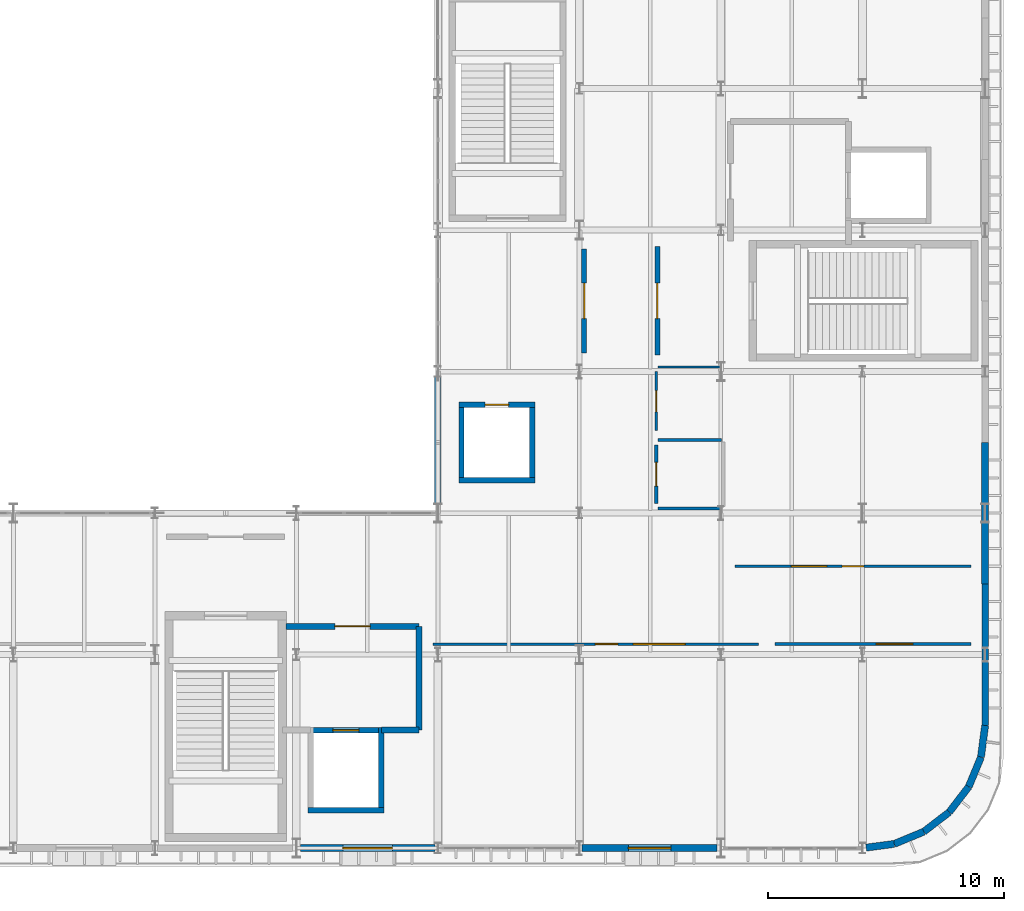
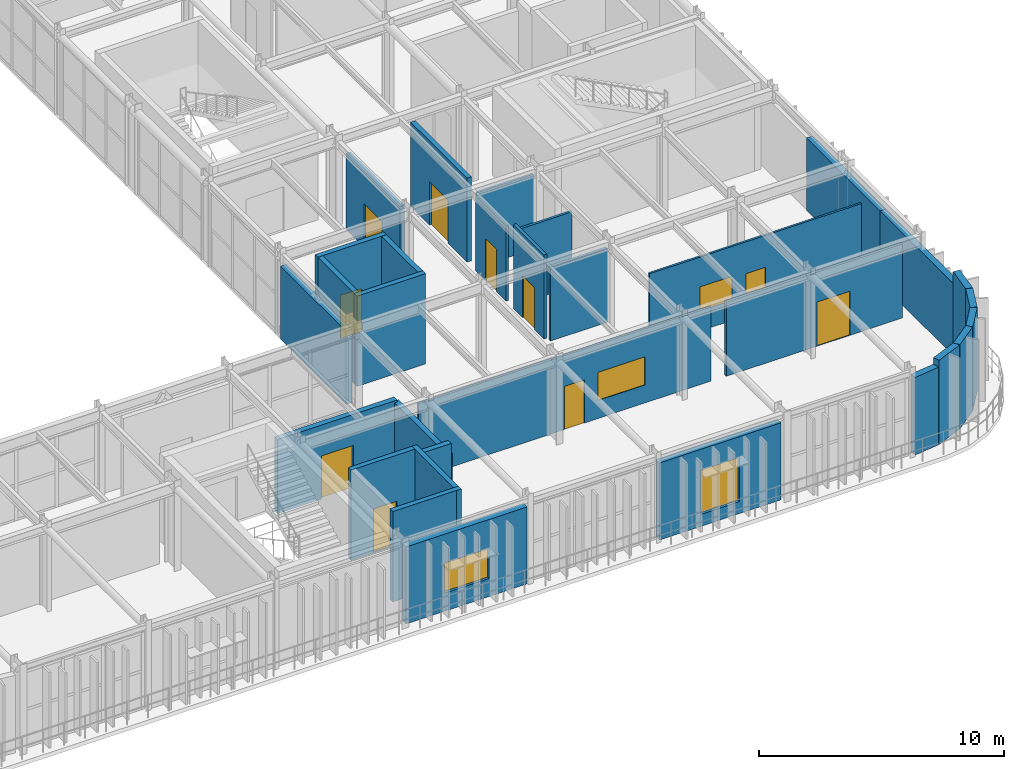
# One storey, part 62 of 84: 31 walls, 10 doors, 4 windows, 14 openings.
"""IFC4 building model written with IfcOpenShell, lengths in metres."""

import ifcopenshell
import ifcopenshell.guid

model = None  # the IFC model being written
_history = None  # IfcOwnerHistory: only IFC2X3 demands one
_inside = {}  # id of a spatial element -> (the spatial element, [elements in it])
_under = {}  # id of a project, library or spatial element -> (it, [spatial elements below it])
_declared = {}  # id of a project -> (the project, [libraries it declares])
_typed = {}  # id of a type object -> (the type object, [elements of that type])
_made_of = {}  # id of a material, layer set ... -> (it, [elements and type objects made of it])


def new_model(schema):
    """Start an empty IFC model of exactly this schema.

    Asked for "IFC4X3", IfcOpenShell would pick the latest addendum, in which some entities
    have other attributes; the version numbers below select the first issue.
    IFC2X3 requires an IfcOwnerHistory on every rooted entity: one is made here for all.
    """
    global model, _history
    if schema == "IFC4X3":
        model = ifcopenshell.file(schema_version=(4, 3, 0, 0))
    else:
        model = ifcopenshell.file(schema=schema)
    _inside.clear()
    _under.clear()
    _declared.clear()
    _typed.clear()
    _made_of.clear()
    _history = None
    if model.schema == "IFC2X3":
        org = make("IfcOrganization", Name="unknown")
        user = make(
            "IfcPersonAndOrganization",
            ThePerson=make("IfcPerson", FamilyName="unknown"),
            TheOrganization=org,
        )
        app = make(
            "IfcApplication",
            ApplicationDeveloper=org,
            Version="unknown",
            ApplicationFullName="unknown",
            ApplicationIdentifier="unknown",
        )
        _history = make(
            "IfcOwnerHistory",
            OwningUser=user,
            OwningApplication=app,
            ChangeAction="ADDED",
            CreationDate=0,
        )
    return model


def make(cls, **values):
    """One entity of the class cls with the attributes given. An attribute that is None is left unset."""
    return model.create_entity(
        cls, **{name: value for name, value in values.items() if value is not None}
    )


def rooted(cls, **values):
    """An entity with a GlobalId (a new one), such as an element, a storey or a relation."""
    return make(cls, GlobalId=ifcopenshell.guid.new(), OwnerHistory=_history, **values)


def si_unit(unit_type, name, prefix=None):
    """IfcSIUnit, for example si_unit("LENGTHUNIT", "METRE", prefix="MILLI")."""
    return make("IfcSIUnit", UnitType=unit_type, Prefix=prefix, Name=name)


def assignment(units):
    """IfcUnitAssignment: the units of a project."""
    return None if units is None else make("IfcUnitAssignment", Units=units)


def point(xyz):
    """IfcCartesianPoint."""
    return None if xyz is None else make("IfcCartesianPoint", Coordinates=xyz)


def direction(xyz):
    """IfcDirection."""
    return None if xyz is None else make("IfcDirection", DirectionRatios=xyz)


def frame(location, z_axis=None, x_axis=None):
    """IfcAxis2Placement3D, a coordinate frame: its origin and axes. An axis left out is left unset."""
    return make(
        "IfcAxis2Placement3D",
        Location=point(location),
        Axis=direction(z_axis),
        RefDirection=direction(x_axis),
    )


def frame_2d(location, x_axis=None):
    """IfcAxis2Placement2D, a coordinate frame in the plane: its origin and x axis."""
    return make(
        "IfcAxis2Placement2D", Location=point(location), RefDirection=direction(x_axis)
    )


def origin():
    """The frame at (0, 0, 0) with its axes left unset."""
    return frame((0.0, 0.0, 0.0))


def place(relative_to, where):
    """IfcLocalPlacement: puts the frame where relative to a parent placement (None: the world)."""
    return make(
        "IfcLocalPlacement", PlacementRelTo=relative_to, RelativePlacement=where
    )


def context(
    kind, dimensions, precision=None, world=None, true_north=None, identifier=None
):
    """IfcGeometricRepresentationContext, for example the 3D "Model" context."""
    return make(
        "IfcGeometricRepresentationContext",
        ContextIdentifier=identifier,
        ContextType=kind,
        CoordinateSpaceDimension=dimensions,
        Precision=precision,
        WorldCoordinateSystem=world,
        TrueNorth=true_north,
    )


def subcontext(parent, identifier, kind, view, scale=None):
    """IfcGeometricRepresentationSubContext, for example "Body" below "Model"."""
    return make(
        "IfcGeometricRepresentationSubContext",
        ContextIdentifier=identifier,
        ContextType=kind,
        ParentContext=parent,
        TargetScale=scale,
        TargetView=view,
    )


def project(units=None, contexts=None):
    """IfcProject with its units and contexts."""
    return rooted(
        "IfcProject",
        Name="project",
        RepresentationContexts=contexts,
        UnitsInContext=assignment(units),
    )


def spatial(cls, under=None, at=None, **own):
    """A site, building, storey or space (cls), placed at a placement, below another one or the project."""
    s = rooted(cls, ObjectPlacement=at, **own)
    if under is not None:
        _under.setdefault(under.id(), (under, []))[1].append(s)
    return s


def profile(cls, at=None, kind="AREA", **sizes):
    """A parametric profile (cls). Its sizes go by their IFC names, for example OverallWidth=200.0."""
    return make(cls, ProfileType=kind, Position=at, **sizes)


def rectangle(**sizes):
    """IfcRectangleProfileDef."""
    return profile("IfcRectangleProfileDef", **sizes)


def extrude(swept, where, along, depth):
    """IfcExtrudedAreaSolid: the profile swept, set in the frame where, extruded along a direction by depth."""
    return make(
        "IfcExtrudedAreaSolid",
        SweptArea=swept,
        Position=where,
        ExtrudedDirection=direction(along),
        Depth=depth,
    )


def shape(context_of_items, identifier, shape_type, items):
    """IfcShapeRepresentation: the items that make up one representation, for example the "Body"."""
    return make(
        "IfcShapeRepresentation",
        ContextOfItems=context_of_items,
        RepresentationIdentifier=identifier,
        RepresentationType=shape_type,
        Items=items,
    )


def material(Name=None, Category=None):
    """IfcMaterial."""
    return make("IfcMaterial", Name=Name, Category=Category)


def layer(
    of_material, thickness, ventilated=None, Name=None, Category=None, Priority=None
):
    """IfcMaterialLayer: one layer of a wall or slab, of a material (None: an air gap)."""
    return make(
        "IfcMaterialLayer",
        Material=of_material,
        LayerThickness=thickness,
        IsVentilated=ventilated,
        Name=Name,
        Category=Category,
        Priority=Priority,
    )


def layer_set(layers, Name=None):
    """IfcMaterialLayerSet."""
    return make("IfcMaterialLayerSet", MaterialLayers=layers, LayerSetName=Name)


def made_of(thing, what):
    """Note that an element or type object is made of a material, layer set ...; save() writes the relation."""
    if what is not None:
        _made_of.setdefault(what.id(), (what, []))[1].append(thing)
    return thing


def type_object(cls, material=None, **own):
    """A type object (cls), such as IfcWallType, which elements share."""
    return made_of(rooted(cls, **own), material)


def element(
    cls,
    number,
    at=None,
    inside=None,
    cuts=None,
    type_object=None,
    material=None,
    context=None,
    identifier="Body",
    shape_type=None,
    held_by="IfcProductDefinitionShape",
    body=None,
    shapes=None,
    **own,
):
    """One element of the class cls, such as IfcWall. Its Tag is "e" and its number.

    at: its placement. inside: the storey or other place that contains it. cuts: it is an
    opening in that element (IfcRelVoidsElement). A single representation is given by context,
    identifier, shape_type and body (its items); several are given by shapes. held_by: the class
    of the entity that holds the representations. save() writes the other relations.
    """
    e = rooted(cls, Tag="e%d" % number, ObjectPlacement=at, **own)
    if body is not None:
        shapes = [shape(context, identifier, shape_type, body)]
    if shapes is not None:
        e.Representation = make(held_by, Representations=shapes)
    if inside is not None:
        _inside.setdefault(inside.id(), (inside, []))[1].append(e)
    if cuts is not None:
        rooted(
            "IfcRelVoidsElement", RelatingBuildingElement=cuts, RelatedOpeningElement=e
        )
    if type_object is not None:
        _typed.setdefault(type_object.id(), (type_object, []))[1].append(e)
    return made_of(e, material)


def fill(opening, filler):
    """IfcRelFillsElement: the door or window that sits in an opening."""
    return rooted(
        "IfcRelFillsElement",
        RelatingOpeningElement=opening,
        RelatedBuildingElement=filler,
    )


def aggregate(whole, parts):
    """IfcRelAggregates: a whole, such as a stair, and the parts it consists of."""
    return rooted("IfcRelAggregates", RelatingObject=whole, RelatedObjects=parts)


def save(model, path):
    """Write the relations noted so far, then the file.

    IfcRelAggregates (storeys below a building ...), IfcRelContainedInSpatialStructure (elements
    in a storey), IfcRelDefinesByType, IfcRelAssociatesMaterial and IfcRelDeclares: one each for
    every whole, place, type object, material and project.
    """
    for whole, parts in _under.values():
        aggregate(whole, parts)
    for where, things in _inside.values():
        rooted(
            "IfcRelContainedInSpatialStructure",
            RelatedElements=things,
            RelatingStructure=where,
        )
    for kind, things in _typed.values():
        rooted("IfcRelDefinesByType", RelatedObjects=things, RelatingType=kind)
    for what, things in _made_of.values():
        rooted("IfcRelAssociatesMaterial", RelatedObjects=things, RelatingMaterial=what)
    for by, libraries in _declared.values():
        rooted("IfcRelDeclares", RelatingContext=by, RelatedDefinitions=libraries)
    model.write(path)


model = new_model("IFC4")

# Units and contexts
model_context = context("Model", 3, precision=1e-05, world=origin(), true_north=direction((0.0, 1.0)))
body_context = subcontext(model_context, "Body", "Model", "MODEL_VIEW")
ifc_project = project(units=[si_unit("LENGTHUNIT", "METRE"), si_unit("AREAUNIT", "SQUARE_METRE"), si_unit("VOLUMEUNIT", "CUBIC_METRE"), si_unit("PLANEANGLEUNIT", "RADIAN"), si_unit("MASSUNIT", "GRAM", prefix="KILO")], contexts=[model_context])

# Site, building, storey
site_placement = place(None, origin())
site = spatial("IfcSite", under=ifc_project, at=site_placement, CompositionType="ELEMENT")
building_placement = place(site_placement, origin())
building = spatial("IfcBuilding", under=site, at=building_placement, Name="Varnakota Square Police Headquarters", CompositionType="ELEMENT")
storey_placement = place(building_placement, frame((0.0, 0.0, 13.5)))
storey = spatial("IfcBuildingStorey", under=building, at=storey_placement, Name="L03", CompositionType="ELEMENT", Elevation=13.5)

# Walls
ifc_material_1 = material(Name="Concrete M40", Category="concrete")
ifc_layer_1 = layer(ifc_material_1, 0.22998046875, Name="Concrete M40")
ifc_layer_set_1 = layer_set([ifc_layer_1], Name="Concrete M40")
wall_type_1 = type_object("IfcWallType", Name="WL-CORE-230", PredefinedType="SHEAR", material=ifc_layer_set_1)
wall_1_placement = place(storey_placement, frame((132.485107421875, 2.39990234375, 0.0), z_axis=(0.0, 0.0, 1.0), x_axis=(1.0, 0.0, 0.0)))
element("IfcWall", 1, at=wall_1_placement, inside=storey, type_object=wall_type_1, Name="Lift shaft wall LF-FF1 L03 S", PredefinedType="SHEAR", context=body_context, shape_type="SweptSolid", body=[
    extrude(rectangle(XDim=3.22998046875, YDim=0.22998046875, at=frame_2d((1.614990234375, 0.0))), origin(), (0.0, 0.0, 1.0), 4.5),
])
wall_2_placement = place(storey_placement, frame((135.60009765625, 2.284912109375, 0.0), z_axis=(0.0, 0.0, 1.0), x_axis=(0.0, 1.0, 0.0)))
element("IfcWall", 2, at=wall_2_placement, inside=storey, type_object=wall_type_1, Name="Lift shaft wall LF-FF1 L03 E", PredefinedType="SHEAR", context=body_context, shape_type="SweptSolid", body=[
    extrude(rectangle(XDim=3.630126953125, YDim=0.22998046875, at=frame_2d((1.81494140625, 0.0))), origin(), (0.0, 0.0, 1.0), 4.5),
])

# Wall, opening, door
wall_3_placement = place(storey_placement, frame((135.715087890625, 5.800048828125, 0.0), z_axis=(0.0, 0.0, 1.0), x_axis=(-1.0, 0.0, 0.0)))
wall_3 = element("IfcWall", 3, at=wall_3_placement, inside=storey, type_object=wall_type_1, Name="Lift shaft wall LF-FF1 L03 N", PredefinedType="SHEAR", context=body_context, shape_type="SweptSolid", body=[
    extrude(rectangle(XDim=3.22998046875, YDim=0.22998046875, at=frame_2d((1.614990234375, 0.0))), origin(), (0.0, 0.0, 1.0), 4.5),
])
opening_1_placement = place(wall_3_placement, frame((1.06494140625, 0.0, 0.0)))
opening_1 = element("IfcOpeningElement", 4, at=opening_1_placement, cuts=wall_3, Name="Opening LD004", PredefinedType="OPENING", context=body_context, shape_type="SweptSolid", body=[
    extrude(rectangle(XDim=1.10009765625, YDim=2.199951171875, at=frame_2d((0.550048828125, 1.10009765625))), frame((0.0, 0.125, 0.0), z_axis=(0.0, -1.0, 0.0), x_axis=(1.0, 0.0, 0.0)), (0.0, 0.0, 1.0), 0.25),
])
ifc_material_2 = material(Name="Brushed Grade 316 Stainless Steel", Category="steel")
door_type_1 = type_object("IfcDoorType", Name="DR-LD-FF", OperationType="NOTDEFINED", PredefinedType="DOOR", material=ifc_material_2)
door_1_placement = place(opening_1_placement, origin())
door_1 = element("IfcDoor", 5, at=door_1_placement, inside=storey, type_object=door_type_1, Name="Lift sliding landing door LD004", OperationType="SLIDING_TO_LEFT", OverallHeight=2.199951171875, OverallWidth=1.10009765625, PredefinedType="DOOR", context=body_context, shape_type="SweptSolid", body=[
    extrude(rectangle(XDim=1.10009765625, YDim=2.199951171875, at=frame_2d((0.550048828125, 1.10009765625))), frame((0.0, 0.02490234375, 0.0), z_axis=(0.0, -1.0, 0.0), x_axis=(1.0, 0.0, 0.0)), (0.0, 0.0, 1.0), 0.050048828125),
])
fill(opening_1, door_1)

# Walls
wall_4_placement = place(storey_placement, frame((138.885009765625, 16.39990234375, 0.0), z_axis=(0.0, 0.0, 1.0), x_axis=(1.0, 0.0, 0.0)))
element("IfcWall", 6, at=wall_4_placement, inside=storey, type_object=wall_type_1, Name="Lift shaft wall LF-P1 L03 S", PredefinedType="SHEAR", context=body_context, shape_type="SweptSolid", body=[
    extrude(rectangle(XDim=3.22998046875, YDim=0.22998046875, at=frame_2d((1.614990234375, 0.0))), origin(), (0.0, 0.0, 1.0), 4.5),
])
wall_5_placement = place(storey_placement, frame((142.0, 16.284912109375, 0.0), z_axis=(0.0, 0.0, 1.0), x_axis=(0.0, 1.0, 0.0)))
element("IfcWall", 7, at=wall_5_placement, inside=storey, type_object=wall_type_1, Name="Lift shaft wall LF-P1 L03 E", PredefinedType="SHEAR", context=body_context, shape_type="SweptSolid", body=[
    extrude(rectangle(XDim=3.43017578125, YDim=0.22998046875, at=frame_2d((1.715087890625, 0.0))), origin(), (0.0, 0.0, 1.0), 4.5),
])

# Wall, opening, door
wall_6_placement = place(storey_placement, frame((142.114990234375, 19.60009765625, 0.0), z_axis=(0.0, 0.0, 1.0), x_axis=(-1.0, 0.0, 0.0)))
wall_6 = element("IfcWall", 8, at=wall_6_placement, inside=storey, type_object=wall_type_1, Name="Lift shaft wall LF-P1 L03 N", PredefinedType="SHEAR", context=body_context, shape_type="SweptSolid", body=[
    extrude(rectangle(XDim=3.22998046875, YDim=0.22998046875, at=frame_2d((1.614990234375, 0.0))), origin(), (0.0, 0.0, 1.0), 4.5),
])
opening_2_placement = place(wall_6_placement, frame((1.114990234375, 0.0, 0.0)))
opening_2 = element("IfcOpeningElement", 9, at=opening_2_placement, cuts=wall_6, Name="Opening LD020", PredefinedType="OPENING", context=body_context, shape_type="SweptSolid", body=[
    extrude(rectangle(XDim=1.0, YDim=2.14990234375, at=frame_2d((0.5, 1.074951171875))), frame((0.0, 0.125, 0.0), z_axis=(0.0, -1.0, 0.0), x_axis=(1.0, 0.0, 0.0)), (0.0, 0.0, 1.0), 0.25),
])
door_type_2 = type_object("IfcDoorType", Name="DR-LD-PAX", OperationType="NOTDEFINED", PredefinedType="DOOR", material=ifc_material_2)
door_2_placement = place(opening_2_placement, origin())
door_2 = element("IfcDoor", 10, at=door_2_placement, inside=storey, type_object=door_type_2, Name="Lift sliding landing door LD020", OperationType="SLIDING_TO_LEFT", OverallHeight=2.14990234375, OverallWidth=1.0, PredefinedType="DOOR", context=body_context, shape_type="SweptSolid", body=[
    extrude(rectangle(XDim=1.0, YDim=2.14990234375, at=frame_2d((0.5, 1.074951171875))), frame((0.0, 0.02490234375, 0.0), z_axis=(0.0, -1.0, 0.0), x_axis=(1.0, 0.0, 0.0)), (0.0, 0.0, 1.0), 0.050048828125),
])
fill(opening_2, door_2)

# Walls
wall_7_placement = place(storey_placement, frame((139.0, 19.715087890625, 0.0), z_axis=(0.0, 0.0, 1.0), x_axis=(0.0, -1.0, 0.0)))
element("IfcWall", 11, at=wall_7_placement, inside=storey, type_object=wall_type_1, Name="Lift shaft wall LF-P1 L03 W", PredefinedType="SHEAR", context=body_context, shape_type="SweptSolid", body=[
    extrude(rectangle(XDim=3.43017578125, YDim=0.22998046875, at=frame_2d((1.715087890625, 0.0))), origin(), (0.0, 0.0, 1.0), 4.5),
])
ifc_layer_2 = layer(ifc_material_1, 0.280029296875, Name="Concrete M40")
ifc_layer_set_2 = layer_set([ifc_layer_2], Name="Concrete M40")
wall_type_2 = type_object("IfcWallType", Name="WL-EXT-280", PredefinedType="SOLIDWALL", material=ifc_layer_set_2)
wall_8_placement = place(storey_placement, frame((161.199951171875, 6.0, 0.0), z_axis=(0.0, 0.0, 1.0), x_axis=(0.0, 1.0, 0.0)))
element("IfcWall", 12, at=wall_8_placement, inside=storey, type_object=wall_type_2, Name="Exterior wall EW-L03-0215", PredefinedType="SOLIDWALL", context=body_context, shape_type="SweptSolid", body=[
    extrude(rectangle(XDim=6.0, YDim=0.280029296875, at=frame_2d((3.0, 0.0))), origin(), (0.0, 0.0, 1.0), 3.590087890625),
])
wall_9_placement = place(storey_placement, frame((138.0, 15.404052734375, 0.0), z_axis=(0.0, 0.0, 1.0), x_axis=(0.0, 1.0, 0.0)))
element("IfcWall", 13, at=wall_9_placement, inside=storey, type_object=wall_type_2, Name="Exterior wall EW-L03-0222", PredefinedType="SOLIDWALL", context=body_context, shape_type="SweptSolid", body=[
    extrude(rectangle(XDim=5.366943359375, YDim=0.280029296875, at=frame_2d((2.68359375, 0.0))), origin(), (0.0, 0.0, 1.0), 3.639892578125),
])

# Wall, opening, window
ifc_material_3 = material(Name="Precast concrete M40", Category="concrete")
ifc_layer_3 = layer(ifc_material_3, 0.300048828125, Name="Precast concrete M40")
ifc_layer_set_3 = layer_set([ifc_layer_3], Name="Precast concrete M40")
wall_type_3 = type_object("IfcWallType", Name="WL-EXT-300", PredefinedType="SOLIDWALL", material=ifc_layer_set_3)
wall_10_placement = place(storey_placement, frame((132.1640625, 0.800048828125, 0.0), z_axis=(0.0, 0.0, 1.0), x_axis=(1.0, 0.0, 0.0)))
wall_10 = element("IfcWall", 14, at=wall_10_placement, inside=storey, type_object=wall_type_3, Name="Exterior wall EW-L03-0213", PredefinedType="SOLIDWALL", context=body_context, shape_type="SweptSolid", body=[
    extrude(rectangle(XDim=5.70703125, YDim=0.300048828125, at=frame_2d((2.853515625, 0.0))), origin(), (0.0, 0.0, 1.0), 3.840087890625),
])
opening_3_placement = place(wall_10_placement, frame((1.803466796875, 0.0, 0.89990234375)))
opening_3 = element("IfcOpeningElement", 15, at=opening_3_placement, cuts=wall_10, Name="Opening W08", PredefinedType="OPENING", context=body_context, shape_type="SweptSolid", body=[
    extrude(rectangle(XDim=2.10009765625, YDim=1.5, at=frame_2d((1.050048828125, 0.75))), frame((0.0, 0.159912109375, 0.0), z_axis=(0.0, -1.0, 0.0), x_axis=(1.0, 0.0, 0.0)), (0.0, 0.0, 1.0), 0.320068359375),
])
ifc_material_4 = material(Name="Thermally Broken Aluminium Double-Glazed Window", Category="aluminium")
window_type_1 = type_object("IfcWindowType", Name="WIN-08", PartitioningType="SINGLE_PANEL", PredefinedType="WINDOW", material=ifc_material_4)
window_1_placement = place(opening_3_placement, origin())
window_1 = element("IfcWindow", 16, at=window_1_placement, inside=storey, type_object=window_type_1, Name="Window WN-L03-0034", OverallHeight=1.5, OverallWidth=2.10009765625, PartitioningType="SINGLE_PANEL", PredefinedType="WINDOW", context=body_context, shape_type="SweptSolid", body=[
    extrude(rectangle(XDim=2.10009765625, YDim=1.5, at=frame_2d((1.050048828125, 0.75))), frame((0.0, 0.030029296875, 0.0), z_axis=(0.0, -1.0, 0.0), x_axis=(1.0, 0.0, 0.0)), (0.0, 0.0, 1.0), 0.06005859375),
])
fill(opening_3, window_1)

wall_11_placement = place(storey_placement, frame((144.10888671875, 0.800048828125, 0.0), z_axis=(0.0, 0.0, 1.0), x_axis=(1.0, 0.0, 0.0)))
wall_11 = element("IfcWall", 17, at=wall_11_placement, inside=storey, type_object=wall_type_3, Name="Exterior wall EW-L03-0214", PredefinedType="SOLIDWALL", context=body_context, shape_type="SweptSolid", body=[
    extrude(rectangle(XDim=5.72705078125, YDim=0.300048828125, at=frame_2d((2.863525390625, 0.0))), origin(), (0.0, 0.0, 1.0), 3.840087890625),
])
opening_4_placement = place(wall_11_placement, frame((1.96337890625, 0.0, 0.60009765625)))
opening_4 = element("IfcOpeningElement", 18, at=opening_4_placement, cuts=wall_11, Name="Opening W11", PredefinedType="OPENING", context=body_context, shape_type="SweptSolid", body=[
    extrude(rectangle(XDim=1.800048828125, YDim=2.199951171875, at=frame_2d((0.89990234375, 1.10009765625))), frame((0.0, 0.159912109375, 0.0), z_axis=(0.0, -1.0, 0.0), x_axis=(1.0, 0.0, 0.0)), (0.0, 0.0, 1.0), 0.320068359375),
])
window_type_2 = type_object("IfcWindowType", Name="WIN-11", PartitioningType="SINGLE_PANEL", PredefinedType="WINDOW", material=ifc_material_4)
window_2_placement = place(opening_4_placement, origin())
window_2 = element("IfcWindow", 19, at=window_2_placement, inside=storey, type_object=window_type_2, Name="Window WN-L03-0035", OverallHeight=2.199951171875, OverallWidth=1.800048828125, PartitioningType="SINGLE_PANEL", PredefinedType="WINDOW", context=body_context, shape_type="SweptSolid", body=[
    extrude(rectangle(XDim=1.800048828125, YDim=2.199951171875, at=frame_2d((0.89990234375, 1.10009765625))), frame((0.0, 0.030029296875, 0.0), z_axis=(0.0, -1.0, 0.0), x_axis=(1.0, 0.0, 0.0)), (0.0, 0.0, 1.0), 0.06005859375),
])
fill(opening_4, window_2)

# Walls
wall_12_placement = place(storey_placement, frame((161.199951171875, 12.0, 0.0), z_axis=(0.0, 0.0, 1.0), x_axis=(0.0, 1.0, 0.0)))
element("IfcWall", 20, at=wall_12_placement, inside=storey, type_object=wall_type_3, Name="Exterior wall EW-L03-0216", PredefinedType="SOLIDWALL", context=body_context, shape_type="SweptSolid", body=[
    extrude(rectangle(XDim=6.0, YDim=0.300048828125, at=frame_2d((3.0, 0.0))), origin(), (0.0, 0.0, 1.0), 3.590087890625),
])
wall_13_placement = place(storey_placement, frame((156.156005859375, 0.820556640625, 0.0), z_axis=(0.0, 0.0, 1.0), x_axis=(0.991436284929, 0.130591320255, 0.0)))
element("IfcWall", 21, at=wall_13_placement, inside=storey, type_object=wall_type_3, Name="Exterior wall EW-L03-0234", PredefinedType="SOLIDWALL", context=body_context, shape_type="SweptSolid", body=[
    extrude(rectangle(XDim=1.2001953125, YDim=0.300048828125, at=frame_2d((0.60009765625, 0.0))), origin(), (0.0, 0.0, 1.0), 3.8662109375),
])
for number, where, z_axis, x_axis, name in (
    (22, (157.345947265625, 0.977294921875, 0.0), (0.0, 0.0, 1.0), (0.923931353894, 0.382558300513, 0.0), "Exterior wall EW-L03-0235"),
    (23, (158.60009765625, 1.49658203125, 0.0), (0.0, 0.0, 1.0), (0.793325486746, 0.608797726736, 0.0), "Exterior wall EW-L03-0236"),
    (24, (159.677001953125, 2.322998046875, 0.0), (0.0, 0.0, 1.0), (0.608797726736, 0.793325486746, 0.0), "Exterior wall EW-L03-0237"),
    (25, (160.50341796875, 3.39990234375, 0.0), (0.0, 0.0, 1.0), (0.382558300513, 0.923931353894, 0.0), "Exterior wall EW-L03-0238"),
):
    element("IfcWall", number, at=place(storey_placement, frame(where, z_axis=z_axis, x_axis=x_axis)), inside=storey, type_object=wall_type_3, Name=name, PredefinedType="SOLIDWALL", context=body_context, shape_type="SweptSolid", body=[
        extrude(rectangle(XDim=1.357421875, YDim=0.300048828125, at=frame_2d((0.6787109375, 0.0))), origin(), (0.0, 0.0, 1.0), 4.195068359375),
    ])
wall_14_placement = place(storey_placement, frame((161.022705078125, 4.654052734375, 0.0), z_axis=(0.0, 0.0, 1.0), x_axis=(0.130561507967, 0.991440211328, 0.0)))
element("IfcWall", 26, at=wall_14_placement, inside=storey, type_object=wall_type_3, Name="Exterior wall EW-L03-0239", PredefinedType="SOLIDWALL", context=body_context, shape_type="SweptSolid", body=[
    extrude(rectangle(XDim=1.357666015625, YDim=0.300048828125, at=frame_2d((0.6787109375, 0.0))), origin(), (0.0, 0.0, 1.0), 4.195068359375),
])

# Wall, openings, door, window
ifc_material_5 = material(Name="Lightweight Demountable Office Partition", Category="gypsum")
ifc_layer_4 = layer(ifc_material_5, 0.094970703125, Name="Lightweight Demountable Office Partition")
ifc_layer_set_4 = layer_set([ifc_layer_4], Name="Lightweight Demountable Office Partition")
wall_type_4 = type_object("IfcWallType", Name="WL-PRT-095", PredefinedType="PARTITIONING", material=ifc_layer_set_4)
wall_15_placement = place(storey_placement, frame((160.60009765625, 12.75, 0.0), z_axis=(0.0, 0.0, 1.0), x_axis=(-1.0, 0.0, 0.0)))
wall_15 = element("IfcWall", 27, at=wall_15_placement, inside=storey, type_object=wall_type_4, Name="Interior partition PW-L03-0179 (Third Floor Staff Pantry and Canteen Lounge)", PredefinedType="PARTITIONING", context=body_context, shape_type="SweptSolid", body=[
    extrude(rectangle(XDim=10.0, YDim=0.094970703125, at=frame_2d((5.0, 0.0))), origin(), (0.0, 0.0, 1.0), 3.68994140625),
])
opening_5_placement = place(wall_15_placement, frame((4.5400390625, 0.0, 0.0)))
opening_5 = element("IfcOpeningElement", 28, at=opening_5_placement, cuts=wall_15, Name="Opening D255", PredefinedType="OPENING", context=body_context, shape_type="SweptSolid", body=[
    extrude(rectangle(XDim=0.919921875, YDim=2.10009765625, at=frame_2d((0.4599609375, 1.050048828125))), frame((0.0, 0.057373046875, 0.0), z_axis=(0.0, -1.0, 0.0), x_axis=(1.0, 0.0, 0.0)), (0.0, 0.0, 1.0), 0.114990234375),
])
opening_6_placement = place(wall_15_placement, frame((6.110107421875, 0.0, 1.0)))
opening_6 = element("IfcOpeningElement", 29, at=opening_6_placement, cuts=wall_15, Name="Opening IW07", PredefinedType="OPENING", context=body_context, shape_type="SweptSolid", body=[
    extrude(rectangle(XDim=1.5, YDim=1.199951171875, at=frame_2d((0.75, 0.60009765625))), frame((0.0, 0.057373046875, 0.0), z_axis=(0.0, -1.0, 0.0), x_axis=(1.0, 0.0, 0.0)), (0.0, 0.0, 1.0), 0.114990234375),
])
ifc_material_6 = material(Name="High-Pressure Melamine-Faced Hardwood Core", Category="wood")
door_type_3 = type_object("IfcDoorType", Name="DR-PAN-092", OperationType="NOTDEFINED", PredefinedType="DOOR", material=ifc_material_6)
door_3_placement = place(opening_5_placement, origin())
door_3 = element("IfcDoor", 30, at=door_3_placement, inside=storey, type_object=door_type_3, Name="Room door D255 (Third Floor Staff Pantry and Canteen Lounge)", OperationType="SINGLE_SWING_RIGHT", OverallHeight=2.10009765625, OverallWidth=0.919921875, PredefinedType="DOOR", context=body_context, shape_type="SweptSolid", body=[
    extrude(rectangle(XDim=0.919921875, YDim=2.10009765625, at=frame_2d((0.4599609375, 1.050048828125))), frame((0.0, 0.02490234375, 0.0), z_axis=(0.0, -1.0, 0.0), x_axis=(1.0, 0.0, 0.0)), (0.0, 0.0, 1.0), 0.050048828125),
])
fill(opening_5, door_3)
ifc_material_7 = material(Name="Acoustic Laminated Interior Vision Glazing", Category="glass")
window_type_3 = type_object("IfcWindowType", Name="WIN-INT-07", PartitioningType="SINGLE_PANEL", PredefinedType="WINDOW", material=ifc_material_7)
window_3_placement = place(opening_6_placement, origin())
window_3 = element("IfcWindow", 31, at=window_3_placement, inside=storey, type_object=window_type_3, Name="Interior observation window IWN-L03-031", OverallHeight=1.199951171875, OverallWidth=1.5, PartitioningType="SINGLE_PANEL", PredefinedType="WINDOW", context=body_context, shape_type="SweptSolid", body=[
    extrude(rectangle(XDim=1.5, YDim=1.199951171875, at=frame_2d((0.75, 0.60009765625))), frame((0.0, 0.030029296875, 0.0), z_axis=(0.0, -1.0, 0.0), x_axis=(1.0, 0.0, 0.0)), (0.0, 0.0, 1.0), 0.06005859375),
])
fill(opening_6, window_3)

# Wall
wall_16_placement = place(storey_placement, frame((147.330078125, 21.199951171875, 0.0), z_axis=(0.0, 0.0, 1.0), x_axis=(1.0, 0.0, 0.0)))
element("IfcWall", 32, at=wall_16_placement, inside=storey, type_object=wall_type_4, Name="Interior dividing partition PW-L03-0187 (L03 Operations Men Washroom WC)", PredefinedType="PARTITIONING", context=body_context, shape_type="SweptSolid", body=[
    extrude(rectangle(XDim=2.68994140625, YDim=0.094970703125, at=frame_2d((1.344970703125, 0.0))), origin(), (0.0, 0.0, 1.0), 3.739990234375),
])

# Wall, openings, door, window
ifc_material_8 = material(Name="Glazed Clean-Lab Modular Partition", Category="gypsum")
ifc_layer_5 = layer(ifc_material_8, 0.10498046875, Name="Glazed Clean-Lab Modular Partition")
ifc_layer_set_5 = layer_set([ifc_layer_5], Name="Glazed Clean-Lab Modular Partition")
wall_type_5 = type_object("IfcWallType", Name="WL-PRT-105", PredefinedType="PARTITIONING", material=ifc_layer_set_5)
wall_17_placement = place(storey_placement, frame((137.800048828125, 9.449951171875, 0.0), z_axis=(0.0, 0.0, 1.0), x_axis=(1.0, 0.0, 0.0)))
wall_17 = element("IfcWall", 33, at=wall_17_placement, inside=storey, type_object=wall_type_5, Name="Interior partition PW-L03-0176 (Homicide and Major Case Division Office)", PredefinedType="PARTITIONING", context=body_context, shape_type="SweptSolid", body=[
    extrude(rectangle(XDim=13.800048828125, YDim=0.10498046875, at=frame_2d((6.89990234375, 0.0))), origin(), (0.0, 0.0, 1.0), 3.68994140625),
])
opening_7_placement = place(wall_17_placement, frame((6.875, 0.0, 0.0)))
opening_7 = element("IfcOpeningElement", 34, at=opening_7_placement, cuts=wall_17, Name="Opening D252", PredefinedType="OPENING", context=body_context, shape_type="SweptSolid", body=[
    extrude(rectangle(XDim=0.949951171875, YDim=2.14990234375, at=frame_2d((0.47509765625, 1.074951171875))), frame((0.0, 0.0625, 0.0), z_axis=(0.0, -1.0, 0.0), x_axis=(1.0, 0.0, 0.0)), (0.0, 0.0, 1.0), 0.125),
])
opening_8_placement = place(wall_17_placement, frame((8.47509765625, 0.0, 0.89990234375)))
opening_8 = element("IfcOpeningElement", 35, at=opening_8_placement, cuts=wall_17, Name="Opening IW06", PredefinedType="OPENING", context=body_context, shape_type="SweptSolid", body=[
    extrude(rectangle(XDim=2.199951171875, YDim=1.39990234375, at=frame_2d((1.10009765625, 0.699951171875))), frame((0.0, 0.0625, 0.0), z_axis=(0.0, -1.0, 0.0), x_axis=(1.0, 0.0, 0.0)), (0.0, 0.0, 1.0), 0.125),
])
ifc_material_9 = material(Name="Solid-Core Teak Veneer Hardwood", Category="wood")
door_type_4 = type_object("IfcDoorType", Name="DR-OFF-095", OperationType="NOTDEFINED", PredefinedType="DOOR", material=ifc_material_9)
door_4_placement = place(opening_7_placement, origin())
door_4 = element("IfcDoor", 36, at=door_4_placement, inside=storey, type_object=door_type_4, Name="Room door D252 (Homicide and Major Case Division Office)", OperationType="SINGLE_SWING_RIGHT", OverallHeight=2.14990234375, OverallWidth=0.949951171875, PredefinedType="DOOR", context=body_context, shape_type="SweptSolid", body=[
    extrude(rectangle(XDim=0.949951171875, YDim=2.14990234375, at=frame_2d((0.47509765625, 1.074951171875))), frame((0.0, 0.02490234375, 0.0), z_axis=(0.0, -1.0, 0.0), x_axis=(1.0, 0.0, 0.0)), (0.0, 0.0, 1.0), 0.050048828125),
])
fill(opening_7, door_4)
window_type_4 = type_object("IfcWindowType", Name="WIN-INT-06", PartitioningType="SINGLE_PANEL", PredefinedType="WINDOW", material=ifc_material_7)
window_4_placement = place(opening_8_placement, origin())
window_4 = element("IfcWindow", 37, at=window_4_placement, inside=storey, type_object=window_type_4, Name="Interior observation window IWN-L03-030", OverallHeight=1.39990234375, OverallWidth=2.199951171875, PartitioningType="SINGLE_PANEL", PredefinedType="WINDOW", context=body_context, shape_type="SweptSolid", body=[
    extrude(rectangle(XDim=2.199951171875, YDim=1.39990234375, at=frame_2d((1.10009765625, 0.699951171875))), frame((0.0, 0.030029296875, 0.0), z_axis=(0.0, -1.0, 0.0), x_axis=(1.0, 0.0, 0.0)), (0.0, 0.0, 1.0), 0.06005859375),
])
fill(opening_8, window_4)

# Wall, opening, door
ifc_material_10 = material(Name="Moisture-Resistant Tile-Backed Partition", Category="gypsum")
ifc_layer_6 = layer(ifc_material_10, 0.114990234375, Name="Moisture-Resistant Tile-Backed Partition")
ifc_layer_set_6 = layer_set([ifc_layer_6], Name="Moisture-Resistant Tile-Backed Partition")
wall_type_6 = type_object("IfcWallType", Name="WL-PRT-115", PredefinedType="PARTITIONING", material=ifc_layer_set_6)
wall_18_placement = place(storey_placement, frame((147.25, 18.5, 0.0), z_axis=(0.0, 0.0, 1.0), x_axis=(0.0, 1.0, 0.0)))
wall_18 = element("IfcWall", 38, at=wall_18_placement, inside=storey, type_object=wall_type_6, Name="Interior partition PW-L03-0165 (L03 Operations Men Washroom WC)", PredefinedType="PARTITIONING", context=body_context, shape_type="SweptSolid", body=[
    extrude(rectangle(XDim=2.5, YDim=0.114990234375, at=frame_2d((1.25, 0.0))), origin(), (0.0, 0.0, 1.0), 3.739990234375),
])
opening_9_placement = place(wall_18_placement, frame((0.800048828125, 0.0, 0.0)))
opening_9 = element("IfcOpeningElement", 39, at=opening_9_placement, cuts=wall_18, Name="Opening D241", PredefinedType="OPENING", context=body_context, shape_type="SweptSolid", body=[
    extrude(rectangle(XDim=0.89990234375, YDim=2.10009765625, at=frame_2d((0.449951171875, 1.050048828125))), frame((0.0, 0.0673828125, 0.0), z_axis=(0.0, -1.0, 0.0), x_axis=(1.0, 0.0, 0.0)), (0.0, 0.0, 1.0), 0.135009765625),
])
ifc_material_11 = material(Name="High-Pressure Moisture-Resistant Compact Laminate")
door_type_5 = type_object("IfcDoorType", Name="DR-WC-090", OperationType="NOTDEFINED", PredefinedType="DOOR", material=ifc_material_11)
door_5_placement = place(opening_9_placement, origin())
door_5 = element("IfcDoor", 40, at=door_5_placement, inside=storey, type_object=door_type_5, Name="Room door D241 (L03 Operations Men Washroom WC)", OperationType="SINGLE_SWING_LEFT", OverallHeight=2.10009765625, OverallWidth=0.89990234375, PredefinedType="DOOR", context=body_context, shape_type="SweptSolid", body=[
    extrude(rectangle(XDim=0.89990234375, YDim=2.10009765625, at=frame_2d((0.449951171875, 1.050048828125))), frame((0.0, 0.02490234375, 0.0), z_axis=(0.0, -1.0, 0.0), x_axis=(1.0, 0.0, 0.0)), (0.0, 0.0, 1.0), 0.050048828125),
])
fill(opening_9, door_5)

# Walls
wall_19_placement = place(storey_placement, frame((147.330078125, 18.10009765625, 0.0), z_axis=(0.0, 0.0, 1.0), x_axis=(1.0, 0.0, 0.0)))
element("IfcWall", 41, at=wall_19_placement, inside=storey, type_object=wall_type_6, Name="Interior dividing partition PW-L03-0186 (L03 Accessible WC East)", PredefinedType="PARTITIONING", context=body_context, shape_type="SweptSolid", body=[
    extrude(rectangle(XDim=2.68994140625, YDim=0.114990234375, at=frame_2d((1.344970703125, 0.0))), origin(), (0.0, 0.0, 1.0), 3.739990234375),
])
ifc_material_12 = material(Name="Acoustic Insulated Metal-Stud Partition", Category="gypsum")
ifc_layer_7 = layer(ifc_material_12, 0.125, Name="Acoustic Insulated Metal-Stud Partition")
ifc_layer_set_7 = layer_set([ifc_layer_7], Name="Acoustic Insulated Metal-Stud Partition")
wall_type_7 = type_object("IfcWallType", Name="WL-PRT-125", PredefinedType="PARTITIONING", material=ifc_layer_set_7)
wall_20_placement = place(storey_placement, frame((150.02001953125, 15.199951171875, 0.0), z_axis=(0.0, 0.0, 1.0), x_axis=(-1.0, 0.0, 0.0)))
element("IfcWall", 42, at=wall_20_placement, inside=storey, type_object=wall_type_7, Name="Interior dividing partition PW-L03-0185 (L03 Accessible WC East)", PredefinedType="PARTITIONING", context=body_context, shape_type="SweptSolid", body=[
    extrude(rectangle(XDim=2.68994140625, YDim=0.125, at=frame_2d((1.344970703125, 0.0))), origin(), (0.0, 0.0, 1.0), 3.68994140625),
])

# Wall, opening, door
ifc_layer_8 = layer(ifc_material_12, 0.139892578125, Name="Acoustic Insulated Metal-Stud Partition")
ifc_layer_set_8 = layer_set([ifc_layer_8], Name="Acoustic Insulated Metal-Stud Partition")
wall_type_8 = type_object("IfcWallType", Name="WL-PRT-140", PredefinedType="PARTITIONING", material=ifc_layer_set_8)
wall_21_placement = place(storey_placement, frame((147.25, 15.39990234375, 0.0), z_axis=(0.0, 0.0, 1.0), x_axis=(0.0, 1.0, 0.0)))
wall_21 = element("IfcWall", 43, at=wall_21_placement, inside=storey, type_object=wall_type_8, Name="Interior partition PW-L03-0164 (L03 Accessible WC East)", PredefinedType="PARTITIONING", context=body_context, shape_type="SweptSolid", body=[
    extrude(rectangle(XDim=2.5, YDim=0.139892578125, at=frame_2d((1.25, 0.0))), origin(), (0.0, 0.0, 1.0), 4.18994140625),
])
opening_10_placement = place(wall_21_placement, frame((0.75, 0.0, 0.0)))
opening_10 = element("IfcOpeningElement", 44, at=opening_10_placement, cuts=wall_21, Name="Opening D240", PredefinedType="OPENING", context=body_context, shape_type="SweptSolid", body=[
    extrude(rectangle(XDim=1.0, YDim=2.10009765625, at=frame_2d((0.5, 1.050048828125))), frame((0.0, 0.079833984375, 0.0), z_axis=(0.0, -1.0, 0.0), x_axis=(1.0, 0.0, 0.0)), (0.0, 0.0, 1.0), 0.159912109375),
])
ifc_material_13 = material(Name="Antimicrobial High-Pressure Compact Laminate")
door_type_6 = type_object("IfcDoorType", Name="DR-WCA-100", OperationType="NOTDEFINED", PredefinedType="DOOR", material=ifc_material_13)
door_6_placement = place(opening_10_placement, origin())
door_6 = element("IfcDoor", 45, at=door_6_placement, inside=storey, type_object=door_type_6, Name="Room door D240 (L03 Accessible WC East)", OperationType="SINGLE_SWING_RIGHT", OverallHeight=2.10009765625, OverallWidth=1.0, PredefinedType="DOOR", context=body_context, shape_type="SweptSolid", body=[
    extrude(rectangle(XDim=1.0, YDim=2.10009765625, at=frame_2d((0.5, 1.050048828125))), frame((0.0, 0.02490234375, 0.0), z_axis=(0.0, -1.0, 0.0), x_axis=(1.0, 0.0, 0.0)), (0.0, 0.0, 1.0), 0.050048828125),
])
fill(opening_10, door_6)

wall_22_placement = place(storey_placement, frame((152.300048828125, 9.449951171875, 0.0), z_axis=(0.0, 0.0, 1.0), x_axis=(1.0, 0.0, 0.0)))
wall_22 = element("IfcWall", 46, at=wall_22_placement, inside=storey, type_object=wall_type_8, Name="Interior partition PW-L03-0177 (Division Briefing Room)", PredefinedType="PARTITIONING", context=body_context, shape_type="SweptSolid", body=[
    extrude(rectangle(XDim=8.300048828125, YDim=0.139892578125, at=frame_2d((4.14990234375, 0.0))), origin(), (0.0, 0.0, 1.0), 3.68994140625),
])
opening_11_placement = place(wall_22_placement, frame((4.27490234375, 0.0, 0.0)))
opening_11 = element("IfcOpeningElement", 47, at=opening_11_placement, cuts=wall_22, Name="Opening D253", PredefinedType="OPENING", context=body_context, shape_type="SweptSolid", body=[
    extrude(rectangle(XDim=1.550048828125, YDim=2.199951171875, at=frame_2d((0.77490234375, 1.10009765625))), frame((0.0, 0.079833984375, 0.0), z_axis=(0.0, -1.0, 0.0), x_axis=(1.0, 0.0, 0.0)), (0.0, 0.0, 1.0), 0.159912109375),
])
ifc_material_14 = material(Name="Solid-Core Acoustic Oak Veneer Timber", Category="wood")
door_type_7 = type_object("IfcDoorType", Name="DR-BRF-155", OperationType="NOTDEFINED", PredefinedType="DOOR", material=ifc_material_14)
door_7_placement = place(opening_11_placement, origin())
door_7 = element("IfcDoor", 48, at=door_7_placement, inside=storey, type_object=door_type_7, Name="Room door D253 (Division Briefing Room)", OperationType="DOUBLE_DOOR_SINGLE_SWING", OverallHeight=2.199951171875, OverallWidth=1.550048828125, PredefinedType="DOOR", context=body_context, shape_type="SweptSolid", body=[
    extrude(rectangle(XDim=1.550048828125, YDim=2.199951171875, at=frame_2d((0.77490234375, 1.10009765625))), frame((0.0, 0.02490234375, 0.0), z_axis=(0.0, -1.0, 0.0), x_axis=(1.0, 0.0, 0.0)), (0.0, 0.0, 1.0), 0.050048828125),
])
fill(opening_11, door_7)

ifc_layer_9 = layer(ifc_material_1, 0.215087890625, Name="Concrete M40")
ifc_layer_set_9 = layer_set([ifc_layer_9], Name="Concrete M40")
wall_type_9 = type_object("IfcWallType", Name="WL-PRT-215F", PredefinedType="PARTITIONING", material=ifc_layer_set_9)
wall_23_placement = place(storey_placement, frame((147.300048828125, 21.699951171875, 0.0), z_axis=(0.0, 0.0, 1.0), x_axis=(0.0, 1.0, 0.0)))
wall_23 = element("IfcWall", 49, at=wall_23_placement, inside=storey, type_object=wall_type_9, Name="Core C2 lobby fire partition L03", PredefinedType="PARTITIONING", context=body_context, shape_type="SweptSolid", body=[
    extrude(rectangle(XDim=4.60009765625, YDim=0.215087890625, at=frame_2d((2.300048828125, 0.0))), origin(), (0.0, 0.0, 1.0), 4.18994140625),
])
opening_12_placement = place(wall_23_placement, frame((1.550048828125, 0.0, 0.0)))
opening_12 = element("IfcOpeningElement", 50, at=opening_12_placement, cuts=wall_23, Name="Opening FD039", PredefinedType="OPENING", context=body_context, shape_type="SweptSolid", body=[
    extrude(rectangle(XDim=1.5, YDim=2.14990234375, at=frame_2d((0.75, 1.074951171875))), frame((0.0, 0.117431640625, 0.0), z_axis=(0.0, -1.0, 0.0), x_axis=(1.0, 0.0, 0.0)), (0.0, 0.0, 1.0), 0.235107421875),
])
ifc_material_15 = material(Name="Smoke-Sealed Galvanised Acoustic Steel", Category="steel")
door_type_8 = type_object("IfcDoorType", Name="DR-FFL-150", OperationType="NOTDEFINED", PredefinedType="DOOR", material=ifc_material_15)
door_8_placement = place(opening_12_placement, origin())
door_8 = element("IfcDoor", 51, at=door_8_placement, inside=storey, type_object=door_type_8, Name="Core lobby smoke door FD039", OperationType="DOUBLE_DOOR_SINGLE_SWING", OverallHeight=2.14990234375, OverallWidth=1.5, PredefinedType="DOOR", context=body_context, shape_type="SweptSolid", body=[
    extrude(rectangle(XDim=1.5, YDim=2.14990234375, at=frame_2d((0.75, 1.074951171875))), frame((0.0, 0.02490234375, 0.0), z_axis=(0.0, -1.0, 0.0), x_axis=(1.0, 0.0, 0.0)), (0.0, 0.0, 1.0), 0.050048828125),
])
fill(opening_12, door_8)

wall_24_placement = place(storey_placement, frame((144.199951171875, 21.800048828125, 0.0), z_axis=(0.0, 0.0, 1.0), x_axis=(0.0, 1.0, 0.0)))
wall_24 = element("IfcWall", 52, at=wall_24_placement, inside=storey, type_object=wall_type_9, Name="Core C3 lobby fire partition L03", PredefinedType="PARTITIONING", context=body_context, shape_type="SweptSolid", body=[
    extrude(rectangle(XDim=4.39990234375, YDim=0.215087890625, at=frame_2d((2.199951171875, 0.0))), origin(), (0.0, 0.0, 1.0), 3.7900390625),
])
opening_13_placement = place(wall_24_placement, frame((1.449951171875, 0.0, 0.0)))
opening_13 = element("IfcOpeningElement", 53, at=opening_13_placement, cuts=wall_24, Name="Opening FD060", PredefinedType="OPENING", context=body_context, shape_type="SweptSolid", body=[
    extrude(rectangle(XDim=1.5, YDim=2.14990234375, at=frame_2d((0.75, 1.074951171875))), frame((0.0, 0.117431640625, 0.0), z_axis=(0.0, -1.0, 0.0), x_axis=(1.0, 0.0, 0.0)), (0.0, 0.0, 1.0), 0.235107421875),
])
door_9_placement = place(opening_13_placement, origin())
door_9 = element("IfcDoor", 54, at=door_9_placement, inside=storey, type_object=door_type_8, Name="Core lobby smoke door FD060", OperationType="DOUBLE_DOOR_SINGLE_SWING", OverallHeight=2.14990234375, OverallWidth=1.5, PredefinedType="DOOR", context=body_context, shape_type="SweptSolid", body=[
    extrude(rectangle(XDim=1.5, YDim=2.14990234375, at=frame_2d((0.75, 1.074951171875))), frame((0.0, 0.02490234375, 0.0), z_axis=(0.0, -1.0, 0.0), x_axis=(1.0, 0.0, 0.0)), (0.0, 0.0, 1.0), 0.050048828125),
])
fill(opening_13, door_9)

ifc_layer_10 = layer(ifc_material_1, 0.25, Name="Concrete M40")
ifc_layer_set_10 = layer_set([ifc_layer_10], Name="Concrete M40")
wall_type_10 = type_object("IfcWallType", Name="WL-PRT-250F", PredefinedType="PARTITIONING", material=ifc_layer_set_10)
wall_25_placement = place(storey_placement, frame((131.550048828125, 10.199951171875, 0.0), z_axis=(0.0, 0.0, 1.0), x_axis=(1.0, 0.0, 0.0)))
wall_25 = element("IfcWall", 55, at=wall_25_placement, inside=storey, type_object=wall_type_10, Name="Firefighting lobby enclosure C1 L03", PredefinedType="PARTITIONING", context=body_context, shape_type="SweptSolid", body=[
    extrude(rectangle(XDim=5.64990234375, YDim=0.25, at=frame_2d((2.824951171875, 0.0))), origin(), (0.0, 0.0, 1.0), 3.68994140625),
])
opening_14_placement = place(wall_25_placement, frame((2.074951171875, 0.0, 0.0)))
opening_14 = element("IfcOpeningElement", 56, at=opening_14_placement, cuts=wall_25, Name="Opening FD016", PredefinedType="OPENING", context=body_context, shape_type="SweptSolid", body=[
    extrude(rectangle(XDim=1.5, YDim=2.14990234375, at=frame_2d((0.75, 1.074951171875))), frame((0.0, 0.135009765625, 0.0), z_axis=(0.0, -1.0, 0.0), x_axis=(1.0, 0.0, 0.0)), (0.0, 0.0, 1.0), 0.27001953125),
])
door_10_placement = place(opening_14_placement, origin())
door_10 = element("IfcDoor", 57, at=door_10_placement, inside=storey, type_object=door_type_8, Name="Firefighting lobby fire door FD016", OperationType="DOUBLE_DOOR_SINGLE_SWING", OverallHeight=2.14990234375, OverallWidth=1.5, PredefinedType="DOOR", context=body_context, shape_type="SweptSolid", body=[
    extrude(rectangle(XDim=1.5, YDim=2.14990234375, at=frame_2d((0.75, 1.074951171875))), frame((0.0, 0.02490234375, 0.0), z_axis=(0.0, -1.0, 0.0), x_axis=(1.0, 0.0, 0.0)), (0.0, 0.0, 1.0), 0.050048828125),
])
fill(opening_14, door_10)

# Walls
wall_26_placement = place(storey_placement, frame((137.199951171875, 5.800048828125, 0.0), z_axis=(0.0, 0.0, 1.0), x_axis=(0.0, 1.0, 0.0)))
element("IfcWall", 58, at=wall_26_placement, inside=storey, type_object=wall_type_10, Name="Firefighting lobby return wall C1 L03 E", PredefinedType="PARTITIONING", context=body_context, shape_type="SweptSolid", body=[
    extrude(rectangle(XDim=4.39990234375, YDim=0.25, at=frame_2d((2.199951171875, 0.0))), origin(), (0.0, 0.0, 1.0), 3.590087890625),
])
wall_27_placement = place(storey_placement, frame((135.60009765625, 5.800048828125, 0.0), z_axis=(0.0, 0.0, 1.0), x_axis=(1.0, 0.0, 0.0)))
element("IfcWall", 59, at=wall_27_placement, inside=storey, type_object=wall_type_10, Name="Firefighting lobby return wall C1 L03 SE", PredefinedType="PARTITIONING", context=body_context, shape_type="SweptSolid", body=[
    extrude(rectangle(XDim=1.599853515625, YDim=0.25, at=frame_2d((0.7998046875, 0.0))), origin(), (0.0, 0.0, 1.0), 4.18994140625),
])

save(model, "model.ifc")
